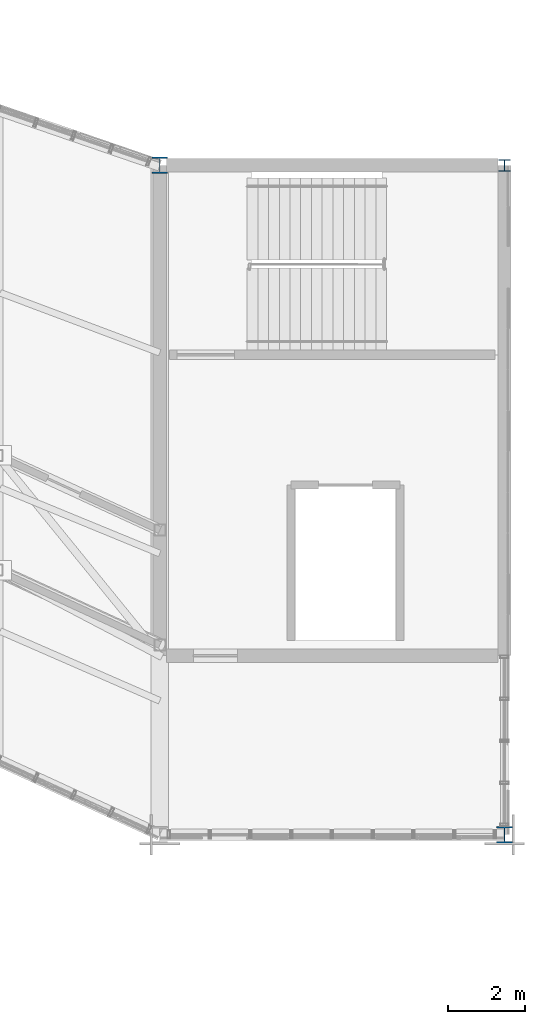
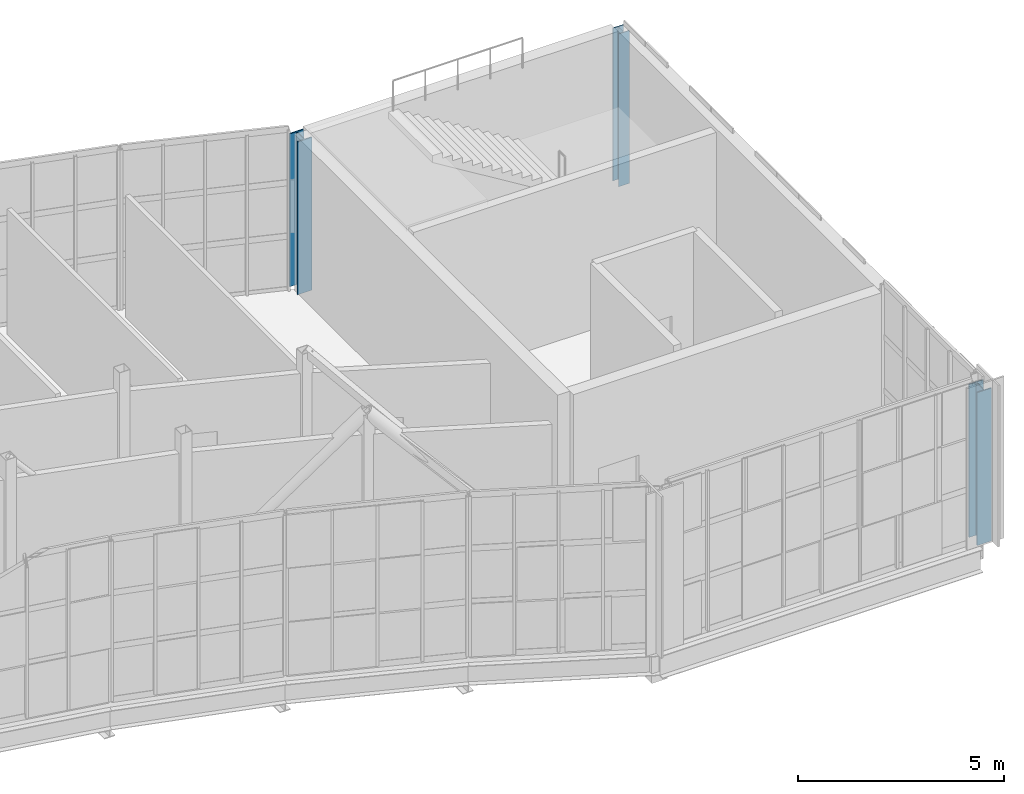
# One storey, part 4 of 46: 3 columns.
"""IFC4 building model written with IfcOpenShell, lengths in metres."""

from ifc_helpers import new_model, si_unit, direction, frame, origin, origin_2d, place, context, subcontext, project, spatial, i_section, extrude, material, material_profile, profile_set, type_object, element, save


model = new_model("IFC4")

# Units and contexts
model_context = context("Model", 3, precision=1e-05, world=origin(), true_north=direction((0.0, 1.0)))
body_context = subcontext(model_context, "Body", "Model", "MODEL_VIEW")
ifc_project = project(units=[si_unit("LENGTHUNIT", "METRE"), si_unit("AREAUNIT", "SQUARE_METRE"), si_unit("VOLUMEUNIT", "CUBIC_METRE"), si_unit("PLANEANGLEUNIT", "RADIAN"), si_unit("MASSUNIT", "GRAM", prefix="KILO")], contexts=[model_context])

# Site, building, storey
site_placement = place(None, origin())
site = spatial("IfcSite", under=ifc_project, at=site_placement, CompositionType="ELEMENT")
building_placement = place(site_placement, origin())
building = spatial("IfcBuilding", under=site, at=building_placement, Name="Solvikara Media Centre", CompositionType="ELEMENT")
storey_placement = place(building_placement, frame((0.0, 0.0, 24.60009765625)))
storey = spatial("IfcBuildingStorey", under=building, at=storey_placement, Name="L05", CompositionType="ELEMENT", Elevation=24.60009765625)

# Columns
ifc_material = material(Name="Steel S355JR", Category="steel")
ifc_material_profile_1 = material_profile(ifc_material, i_section(OverallWidth=0.406982421875, OverallDepth=0.427978515625, WebThickness=0.02001953125, FlangeThickness=0.034912109375, at=origin_2d()), Name="H 428x407x20x35")
ifc_profile_set_1 = profile_set([ifc_material_profile_1], Name="Steel S355JR")
column_type_1 = type_object("IfcColumnType", Name="CL-20", PredefinedType="COLUMN", material=ifc_profile_set_1)
for number, where, z_axis, x_axis, name in (
    (1, (127.5, 36.800048828125, 0.0), (0.0, 0.0, 1.0), (1.0, 0.0, 0.0), "C-L05-1275-0368"),
    (2, (136.5, 19.323974609375, 0.0), (0.0, 0.0, 1.0), (1.0, 0.0, 0.0), "C-L05-1365-0193"),
):
    element("IfcColumn", number, at=place(storey_placement, frame(where, z_axis=z_axis, x_axis=x_axis)), inside=storey, type_object=column_type_1, Name=name, PredefinedType="COLUMN", context=body_context, shape_type="SweptSolid", body=[
        extrude(i_section(OverallWidth=0.406982421875, OverallDepth=0.427978515625, WebThickness=0.02001953125, FlangeThickness=0.034912109375, at=origin_2d()), origin(), (0.0, 0.0, 1.0), 4.539794921875),
    ])
ifc_material_profile_2 = material_profile(ifc_material, i_section(OverallWidth=0.300048828125, OverallDepth=0.300048828125, WebThickness=0.010009765625, FlangeThickness=0.014892578125, at=origin_2d()), Name="H 300x300x10x15")
ifc_profile_set_2 = profile_set([ifc_material_profile_2], Name="Steel S355JR")
column_type_2 = type_object("IfcColumnType", Name="CL-22", PredefinedType="COLUMN", material=ifc_profile_set_2)
column_placement = place(storey_placement, frame((136.5, 36.800048828125, 0.0), z_axis=(0.0, 0.0, 1.0), x_axis=(1.0, 0.0, 0.0)))
element("IfcColumn", 3, at=column_placement, inside=storey, type_object=column_type_2, Name="C-L05-1365-0368", PredefinedType="COLUMN", context=body_context, shape_type="SweptSolid", body=[
    extrude(i_section(OverallWidth=0.300048828125, OverallDepth=0.300048828125, WebThickness=0.010009765625, FlangeThickness=0.014892578125, at=origin_2d()), origin(), (0.0, 0.0, 1.0), 4.539794921875),
])

save(model, "model.ifc")
